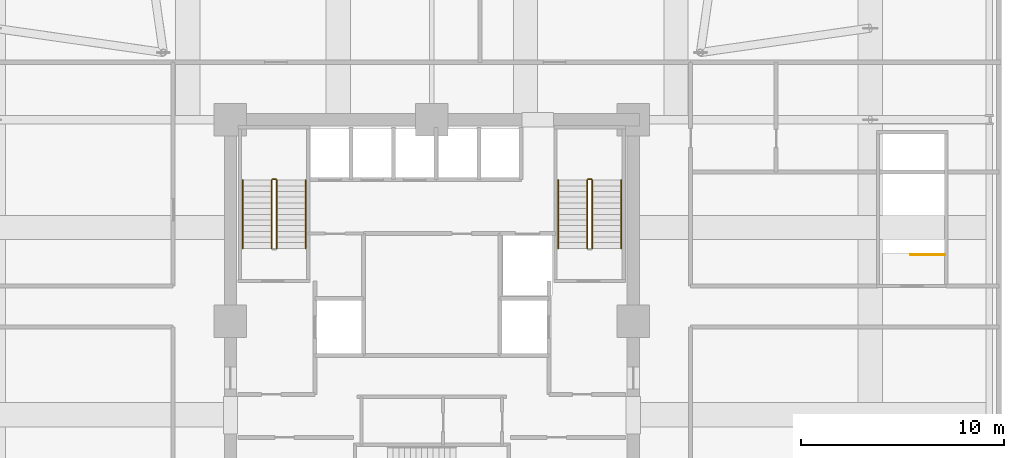
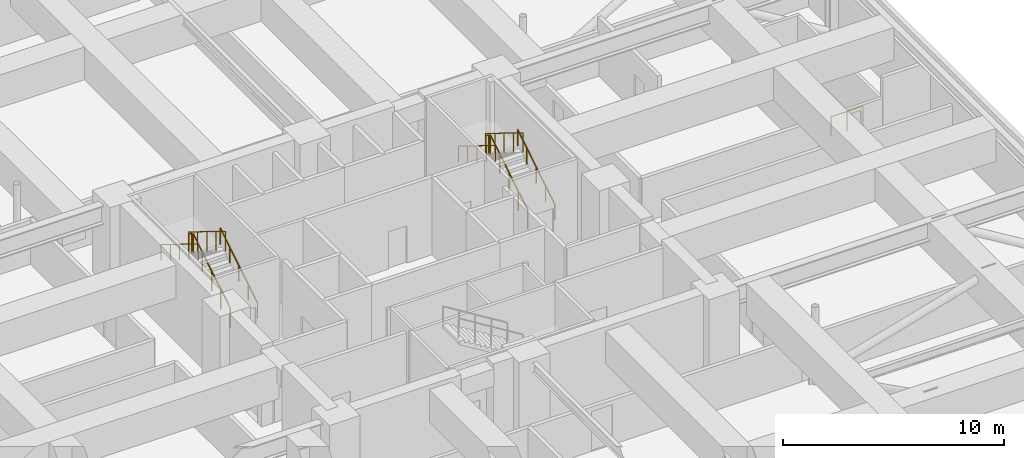
# One storey, part 16 of 16: 11 railings.
"""IFC4 building model written with IfcOpenShell, lengths in metres."""

from ifc_helpers import new_model, si_unit, direction, frame, origin, origin_2d, place, context, subcontext, project, spatial, circle, extrude, material, type_object, element, save


model = new_model("IFC4")

# Units and contexts
model_context = context("Model", 3, precision=1e-05, world=origin(), true_north=direction((0.0, 1.0)))
body_context = subcontext(model_context, "Body", "Model", "MODEL_VIEW")
ifc_project = project(units=[si_unit("LENGTHUNIT", "METRE"), si_unit("AREAUNIT", "SQUARE_METRE"), si_unit("VOLUMEUNIT", "CUBIC_METRE"), si_unit("PLANEANGLEUNIT", "RADIAN"), si_unit("MASSUNIT", "GRAM", prefix="KILO")], contexts=[model_context])

# Site, building, storey
site_placement = place(None, origin())
site = spatial("IfcSite", under=ifc_project, at=site_placement, CompositionType="ELEMENT")
building_placement = place(site_placement, origin())
building = spatial("IfcBuilding", under=site, at=building_placement, Name="Kolvaren Belvedere", CompositionType="ELEMENT")
storey_placement = place(building_placement, frame((0.0, 0.0, 19.300048828125)))
storey = spatial("IfcBuildingStorey", under=building, at=storey_placement, Name="L05", CompositionType="ELEMENT", Elevation=19.300048828125)

# Railings
ifc_material_1 = material(Name="Brushed stainless-steel handrail", Category="steel")
railing_type_1 = type_object("IfcRailingType", Name="RL-HANDRAIL-920", PredefinedType="HANDRAIL", material=ifc_material_1)
railing_1_placement = place(storey_placement, frame((-6.2099609375, 3.570068359375, 0.173095703125)))
element("IfcRailing", 1, at=railing_1_placement, inside=storey, type_object=railing_type_1, Name="L05 ST-1 stair handrail 1", PredefinedType="HANDRAIL", context=body_context, shape_type="SweptSolid", body=[
    extrude(circle(Radius=0.02392578125, at=origin_2d()), frame((0.0, 0.0, 0.8759765625), z_axis=(0.0, 0.850606129759, 0.525803396734), x_axis=(-1.0, 0.0, 0.0)), (0.0, 0.0, 1.0), 3.949951171875),
    extrude(circle(Radius=0.02099609375, at=origin_2d()), origin(), (0.0, 0.0, 1.0), 0.851806640625),
    extrude(circle(Radius=0.02099609375, at=origin_2d()), frame((0.0, 0.83984375, 0.519287109375)), (0.0, 0.0, 1.0), 0.851806640625),
    extrude(circle(Radius=0.02099609375, at=origin_2d()), frame((0.0, 1.679931640625, 1.03857421875)), (0.0, 0.0, 1.0), 0.851806640625),
    extrude(circle(Radius=0.02099609375, at=origin_2d()), frame((0.0, 2.52001953125, 1.5576171875)), (0.0, 0.0, 1.0), 0.851806640625),
    extrude(circle(Radius=0.02099609375, at=origin_2d()), frame((0.0, 3.35986328125, 2.076904296875)), (0.0, 0.0, 1.0), 0.851806640625),
])
railing_2_placement = place(storey_placement, frame((-9.300048828125, 6.929931640625, 2.423095703125)))
element("IfcRailing", 2, at=railing_2_placement, inside=storey, type_object=railing_type_1, Name="L05 ST-1 stair handrail 2", PredefinedType="HANDRAIL", context=body_context, shape_type="SweptSolid", body=[
    extrude(circle(Radius=0.02392578125, at=origin_2d()), frame((0.0, 0.0, 0.8759765625), z_axis=(0.0, -0.850606129759, 0.525803396734), x_axis=(1.0, 0.0, 0.0)), (0.0, 0.0, 1.0), 3.949951171875),
    extrude(circle(Radius=0.02099609375, at=origin_2d()), origin(), (0.0, 0.0, 1.0), 0.851806640625),
    extrude(circle(Radius=0.02099609375, at=origin_2d()), frame((0.0, -0.83984375, 0.519287109375)), (0.0, 0.0, 1.0), 0.851806640625),
    extrude(circle(Radius=0.02099609375, at=origin_2d()), frame((0.0, -1.679931640625, 1.03857421875)), (0.0, 0.0, 1.0), 0.851806640625),
    extrude(circle(Radius=0.02099609375, at=origin_2d()), frame((0.0, -2.52001953125, 1.5576171875)), (0.0, 0.0, 1.0), 0.851806640625),
    extrude(circle(Radius=0.02099609375, at=origin_2d()), frame((0.0, -3.35986328125, 2.076904296875)), (0.0, 0.0, 1.0), 0.851806640625),
])
railing_3_placement = place(storey_placement, frame((9.300048828125, 3.570068359375, 0.173095703125)))
element("IfcRailing", 3, at=railing_3_placement, inside=storey, type_object=railing_type_1, Name="L05 ST-2 stair handrail 1", PredefinedType="HANDRAIL", context=body_context, shape_type="SweptSolid", body=[
    extrude(circle(Radius=0.02392578125, at=origin_2d()), frame((0.0, 0.0, 0.8759765625), z_axis=(0.0, 0.850606129759, 0.525803396734), x_axis=(-1.0, 0.0, 0.0)), (0.0, 0.0, 1.0), 3.949951171875),
    extrude(circle(Radius=0.02099609375, at=origin_2d()), origin(), (0.0, 0.0, 1.0), 0.851806640625),
    extrude(circle(Radius=0.02099609375, at=origin_2d()), frame((0.0, 0.83984375, 0.519287109375)), (0.0, 0.0, 1.0), 0.851806640625),
    extrude(circle(Radius=0.02099609375, at=origin_2d()), frame((0.0, 1.679931640625, 1.03857421875)), (0.0, 0.0, 1.0), 0.851806640625),
    extrude(circle(Radius=0.02099609375, at=origin_2d()), frame((0.0, 2.52001953125, 1.5576171875)), (0.0, 0.0, 1.0), 0.851806640625),
    extrude(circle(Radius=0.02099609375, at=origin_2d()), frame((0.0, 3.35986328125, 2.076904296875)), (0.0, 0.0, 1.0), 0.851806640625),
])
railing_4_placement = place(storey_placement, frame((6.2099609375, 6.929931640625, 2.423095703125)))
element("IfcRailing", 4, at=railing_4_placement, inside=storey, type_object=railing_type_1, Name="L05 ST-2 stair handrail 2", PredefinedType="HANDRAIL", context=body_context, shape_type="SweptSolid", body=[
    extrude(circle(Radius=0.02392578125, at=origin_2d()), frame((0.0, 0.0, 0.8759765625), z_axis=(0.0, -0.850606129759, 0.525803396734), x_axis=(1.0, 0.0, 0.0)), (0.0, 0.0, 1.0), 3.949951171875),
    extrude(circle(Radius=0.02099609375, at=origin_2d()), origin(), (0.0, 0.0, 1.0), 0.851806640625),
    extrude(circle(Radius=0.02099609375, at=origin_2d()), frame((0.0, -0.83984375, 0.519287109375)), (0.0, 0.0, 1.0), 0.851806640625),
    extrude(circle(Radius=0.02099609375, at=origin_2d()), frame((0.0, -1.679931640625, 1.03857421875)), (0.0, 0.0, 1.0), 0.851806640625),
    extrude(circle(Radius=0.02099609375, at=origin_2d()), frame((0.0, -2.52001953125, 1.5576171875)), (0.0, 0.0, 1.0), 0.851806640625),
    extrude(circle(Radius=0.02099609375, at=origin_2d()), frame((0.0, -3.35986328125, 2.076904296875)), (0.0, 0.0, 1.0), 0.851806640625),
])
ifc_material_2 = material(Name="Painted tubular steel stair guard", Category="steel")
railing_type_2 = type_object("IfcRailingType", Name="RL-STGUARD-1100", PredefinedType="GUARDRAIL", material=ifc_material_2)
railing_5_placement = place(storey_placement, frame((-7.6298828125, 3.570068359375, 0.173095703125)))
element("IfcRailing", 5, at=railing_5_placement, inside=storey, type_object=railing_type_2, Name="L05 ST-1 stair guard 1", PredefinedType="GUARDRAIL", context=body_context, shape_type="SweptSolid", body=[
    extrude(circle(Radius=0.02392578125, at=origin_2d()), frame((0.0, 0.0, 1.076171875), z_axis=(0.0, 0.850606129759, 0.525803396734), x_axis=(-1.0, 0.0, 0.0)), (0.0, 0.0, 1.0), 3.949951171875),
    extrude(circle(Radius=0.02099609375, at=origin_2d()), origin(), (0.0, 0.0, 1.0), 1.052001953125),
    extrude(circle(Radius=0.02099609375, at=origin_2d()), frame((0.0, 0.83984375, 0.519287109375)), (0.0, 0.0, 1.0), 1.052001953125),
    extrude(circle(Radius=0.02099609375, at=origin_2d()), frame((0.0, 1.679931640625, 1.03857421875)), (0.0, 0.0, 1.0), 1.052001953125),
    extrude(circle(Radius=0.02099609375, at=origin_2d()), frame((0.0, 2.52001953125, 1.5576171875)), (0.0, 0.0, 1.0), 1.052001953125),
    extrude(circle(Radius=0.02099609375, at=origin_2d()), frame((0.0, 3.35986328125, 2.076904296875)), (0.0, 0.0, 1.0), 1.052001953125),
])
railing_6_placement = place(storey_placement, frame((-7.679931640625, 6.97998046875, 2.25)))
element("IfcRailing", 6, at=railing_6_placement, inside=storey, type_object=railing_type_2, Name="L05 ST-1 stair guard 2", PredefinedType="GUARDRAIL", context=body_context, shape_type="SweptSolid", body=[
    extrude(circle(Radius=0.02392578125, at=origin_2d()), frame((0.0, 0.0, 1.076171875), z_axis=(-1.0, 0.0, 0.0), x_axis=(0.0, -1.0, 0.0)), (0.0, 0.0, 1.0), 0.150146484375),
    extrude(circle(Radius=0.02099609375, at=origin_2d()), origin(), (0.0, 0.0, 1.0), 1.052001953125),
    extrude(circle(Radius=0.02099609375, at=origin_2d()), frame((-0.150146484375, 0.0, 0.0)), (0.0, 0.0, 1.0), 1.052001953125),
])
railing_7_placement = place(storey_placement, frame((-7.8798828125, 6.929931640625, 2.423095703125)))
element("IfcRailing", 7, at=railing_7_placement, inside=storey, type_object=railing_type_2, Name="L05 ST-1 stair guard 3", PredefinedType="GUARDRAIL", context=body_context, shape_type="SweptSolid", body=[
    extrude(circle(Radius=0.02392578125, at=origin_2d()), frame((0.0, 0.0, 1.076171875), z_axis=(0.0, -0.850606129759, 0.525803396734), x_axis=(1.0, 0.0, 0.0)), (0.0, 0.0, 1.0), 3.949951171875),
    extrude(circle(Radius=0.02099609375, at=origin_2d()), origin(), (0.0, 0.0, 1.0), 1.052001953125),
    extrude(circle(Radius=0.02099609375, at=origin_2d()), frame((0.0, -0.83984375, 0.519287109375)), (0.0, 0.0, 1.0), 1.052001953125),
    extrude(circle(Radius=0.02099609375, at=origin_2d()), frame((0.0, -1.679931640625, 1.03857421875)), (0.0, 0.0, 1.0), 1.052001953125),
    extrude(circle(Radius=0.02099609375, at=origin_2d()), frame((0.0, -2.52001953125, 1.5576171875)), (0.0, 0.0, 1.0), 1.052001953125),
    extrude(circle(Radius=0.02099609375, at=origin_2d()), frame((0.0, -3.35986328125, 2.076904296875)), (0.0, 0.0, 1.0), 1.052001953125),
])
railing_8_placement = place(storey_placement, frame((7.8798828125, 3.570068359375, 0.173095703125)))
element("IfcRailing", 8, at=railing_8_placement, inside=storey, type_object=railing_type_2, Name="L05 ST-2 stair guard 1", PredefinedType="GUARDRAIL", context=body_context, shape_type="SweptSolid", body=[
    extrude(circle(Radius=0.02392578125, at=origin_2d()), frame((0.0, 0.0, 1.076171875), z_axis=(0.0, 0.850606129759, 0.525803396734), x_axis=(-1.0, 0.0, 0.0)), (0.0, 0.0, 1.0), 3.949951171875),
    extrude(circle(Radius=0.02099609375, at=origin_2d()), origin(), (0.0, 0.0, 1.0), 1.052001953125),
    extrude(circle(Radius=0.02099609375, at=origin_2d()), frame((0.0, 0.83984375, 0.519287109375)), (0.0, 0.0, 1.0), 1.052001953125),
    extrude(circle(Radius=0.02099609375, at=origin_2d()), frame((0.0, 1.679931640625, 1.03857421875)), (0.0, 0.0, 1.0), 1.052001953125),
    extrude(circle(Radius=0.02099609375, at=origin_2d()), frame((0.0, 2.52001953125, 1.5576171875)), (0.0, 0.0, 1.0), 1.052001953125),
    extrude(circle(Radius=0.02099609375, at=origin_2d()), frame((0.0, 3.35986328125, 2.076904296875)), (0.0, 0.0, 1.0), 1.052001953125),
])
railing_9_placement = place(storey_placement, frame((7.830078125, 6.97998046875, 2.25)))
element("IfcRailing", 9, at=railing_9_placement, inside=storey, type_object=railing_type_2, Name="L05 ST-2 stair guard 2", PredefinedType="GUARDRAIL", context=body_context, shape_type="SweptSolid", body=[
    extrude(circle(Radius=0.02392578125, at=origin_2d()), frame((0.0, 0.0, 1.076171875), z_axis=(-1.0, 0.0, 0.0), x_axis=(0.0, -1.0, 0.0)), (0.0, 0.0, 1.0), 0.150146484375),
    extrude(circle(Radius=0.02099609375, at=origin_2d()), origin(), (0.0, 0.0, 1.0), 1.052001953125),
    extrude(circle(Radius=0.02099609375, at=origin_2d()), frame((-0.150146484375, 0.0, 0.0)), (0.0, 0.0, 1.0), 1.052001953125),
])
railing_10_placement = place(storey_placement, frame((7.6298828125, 6.929931640625, 2.423095703125)))
element("IfcRailing", 10, at=railing_10_placement, inside=storey, type_object=railing_type_2, Name="L05 ST-2 stair guard 3", PredefinedType="GUARDRAIL", context=body_context, shape_type="SweptSolid", body=[
    extrude(circle(Radius=0.02392578125, at=origin_2d()), frame((0.0, 0.0, 1.076171875), z_axis=(0.0, -0.850606129759, 0.525803396734), x_axis=(1.0, 0.0, 0.0)), (0.0, 0.0, 1.0), 3.949951171875),
    extrude(circle(Radius=0.02099609375, at=origin_2d()), origin(), (0.0, 0.0, 1.0), 1.052001953125),
    extrude(circle(Radius=0.02099609375, at=origin_2d()), frame((0.0, -0.83984375, 0.519287109375)), (0.0, 0.0, 1.0), 1.052001953125),
    extrude(circle(Radius=0.02099609375, at=origin_2d()), frame((0.0, -1.679931640625, 1.03857421875)), (0.0, 0.0, 1.0), 1.052001953125),
    extrude(circle(Radius=0.02099609375, at=origin_2d()), frame((0.0, -2.52001953125, 1.5576171875)), (0.0, 0.0, 1.0), 1.052001953125),
    extrude(circle(Radius=0.02099609375, at=origin_2d()), frame((0.0, -3.35986328125, 2.076904296875)), (0.0, 0.0, 1.0), 1.052001953125),
])
railing_11_placement = place(storey_placement, frame((25.199951171875, 3.27001953125, 0.0)))
element("IfcRailing", 11, at=railing_11_placement, inside=storey, type_object=railing_type_2, Name="L05 ST-P2 top well guard 1", PredefinedType="GUARDRAIL", context=body_context, shape_type="SweptSolid", body=[
    extrude(circle(Radius=0.02392578125, at=origin_2d()), frame((0.0, 0.0, 1.076171875), z_axis=(-1.0, 0.0, 0.0), x_axis=(0.0, -1.0, 0.0)), (0.0, 0.0, 1.0), 1.669921875),
    extrude(circle(Radius=0.02099609375, at=origin_2d()), origin(), (0.0, 0.0, 1.0), 1.052001953125),
    extrude(circle(Radius=0.02099609375, at=origin_2d()), frame((-0.8349609375, 0.0, 0.0)), (0.0, 0.0, 1.0), 1.052001953125),
    extrude(circle(Radius=0.02099609375, at=origin_2d()), frame((-1.669921875, 0.0, 0.0)), (0.0, 0.0, 1.0), 1.052001953125),
])

save(model, "model.ifc")
